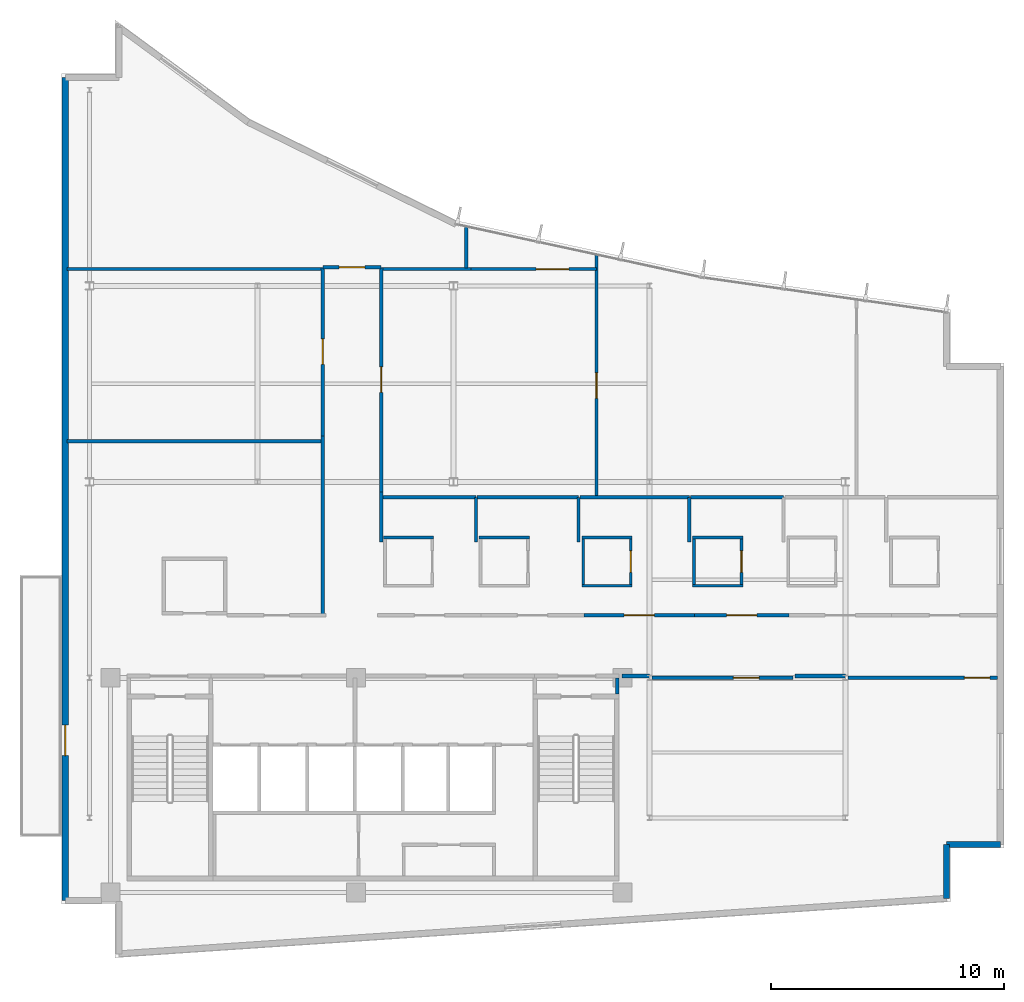
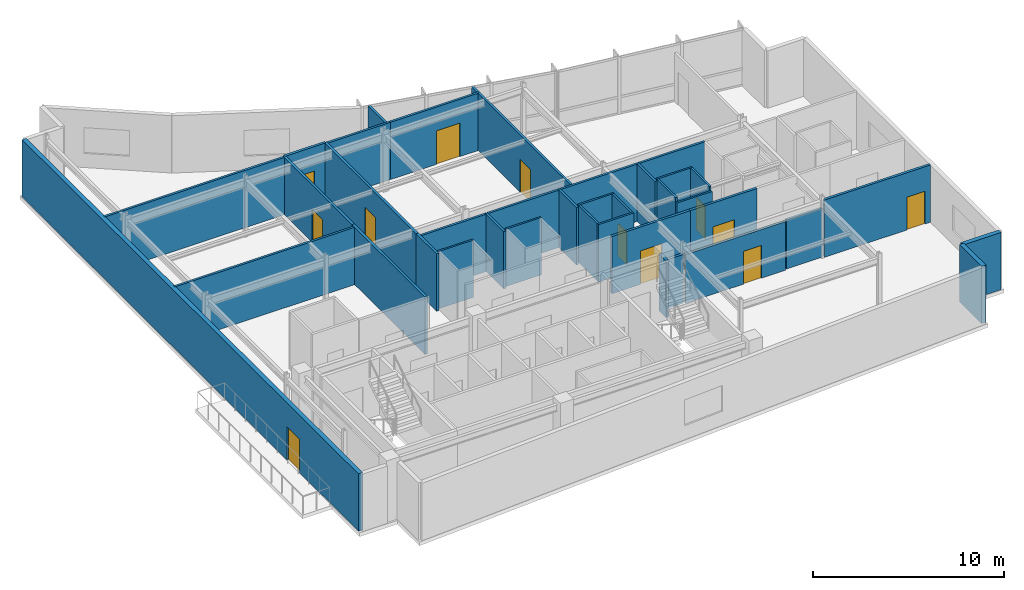
# One storey, part 11 of 15: 38 walls, 12 doors, 12 openings.
"""IFC4 building model written with IfcOpenShell, lengths in metres."""

from ifc_helpers import new_model, si_unit, direction, frame, frame_2d, origin, place, context, subcontext, project, spatial, rectangle, extrude, material, layer, layer_set, type_object, element, fill, save


model = new_model("IFC4")

# Units and contexts
model_context = context("Model", 3, precision=1e-05, world=origin(), true_north=direction((0.0, 1.0)))
body_context = subcontext(model_context, "Body", "Model", "MODEL_VIEW")
ifc_project = project(units=[si_unit("LENGTHUNIT", "METRE"), si_unit("AREAUNIT", "SQUARE_METRE"), si_unit("VOLUMEUNIT", "CUBIC_METRE"), si_unit("PLANEANGLEUNIT", "RADIAN"), si_unit("MASSUNIT", "GRAM", prefix="KILO")], contexts=[model_context])

# Site, building, storey
site_placement = place(None, origin())
site = spatial("IfcSite", under=ifc_project, at=site_placement, CompositionType="ELEMENT")
building_placement = place(site_placement, origin())
building = spatial("IfcBuilding", under=site, at=building_placement, Name="Varnakote Quay Hospital", CompositionType="ELEMENT")
storey_placement = place(building_placement, frame((0.0, 0.0, 300.0)))
storey = spatial("IfcBuildingStorey", under=building, at=storey_placement, Name="L74", CompositionType="ELEMENT", Elevation=300.0)

# Walls
ifc_material_1 = material(Name="Fire-rated acoustic gypsum stud wall", Category="gypsum")
ifc_layer_1 = layer(ifc_material_1, 0.159912109375)
ifc_layer_set_1 = layer_set([ifc_layer_1], Name="Fire-rated acoustic gypsum stud wall")
wall_type_1 = type_object("IfcWallType", Name="WL-COMP-160", PredefinedType="PARTITIONING", material=ifc_layer_set_1)
wall_1_placement = place(storey_placement, frame((23.820068359375, 11.300048828125, 0.0), z_axis=(0.0, 0.0, 1.0), x_axis=(0.0, 1.0, 0.0)))
element("IfcWall", 1, at=wall_1_placement, inside=storey, type_object=wall_type_1, Name="L74 East Stair Vestibule East Wall", PredefinedType="PARTITIONING", context=body_context, shape_type="SweptSolid", body=[
    extrude(rectangle(XDim=0.699951171875, YDim=0.159912109375, at=frame_2d((0.35009765625, 0.0))), origin(), (0.0, 0.0, 1.0), 3.669921875),
])
wall_2_placement = place(storey_placement, frame((24.02001953125, 12.080078125, 0.0), z_axis=(0.0, 0.0, 1.0), x_axis=(1.0, 0.0, 0.0)))
element("IfcWall", 2, at=wall_2_placement, inside=storey, type_object=wall_type_1, Name="L74 Corridor South Gap Wall", PredefinedType="PARTITIONING", context=body_context, shape_type="SweptSolid", body=[
    extrude(rectangle(XDim=1.193115234375, YDim=0.159912109375, at=frame_2d((0.5966796875, 0.0))), origin(), (0.0, 0.0, 1.0), 3.116943359375),
])
wall_3_placement = place(storey_placement, frame((31.439208984375, 12.080078125, 0.0), z_axis=(0.0, 0.0, 1.0), x_axis=(1.0, 0.0, 0.0)))
element("IfcWall", 3, at=wall_3_placement, inside=storey, type_object=wall_type_1, Name="L74 Corridor South Gap Wall", PredefinedType="PARTITIONING", context=body_context, shape_type="SweptSolid", body=[
    extrude(rectangle(XDim=2.174072265625, YDim=0.159912109375, at=frame_2d((1.0869140625, 0.0))), origin(), (0.0, 0.0, 1.0), 3.116943359375),
])
ifc_material_2 = material(Name="Moisture-resistant bathroom partition", Category="gypsum")
ifc_layer_2 = layer(ifc_material_2, 0.114990234375)
ifc_layer_set_2 = layer_set([ifc_layer_2], Name="Moisture-resistant bathroom partition")
wall_type_2 = type_object("IfcWallType", Name="WL-ENS-115", PredefinedType="PARTITIONING", material=ifc_layer_set_2)
wall_4_placement = place(storey_placement, frame((13.804931640625, 18.017578125, 0.0), z_axis=(0.0, 0.0, 1.0), x_axis=(1.0, 0.0, 0.0)))
element("IfcWall", 4, at=wall_4_placement, inside=storey, type_object=wall_type_2, Name="L74 Inpatient En-Suite Bathroom 01 N Wall", PredefinedType="PARTITIONING", context=body_context, shape_type="SweptSolid", body=[
    extrude(rectangle(XDim=2.150146484375, YDim=0.114990234375, at=frame_2d((1.0751953125, 0.0))), origin(), (0.0, 0.0, 1.0), 3.669921875),
])
wall_5_placement = place(storey_placement, frame((17.905029296875, 18.017578125, 0.0), z_axis=(0.0, 0.0, 1.0), x_axis=(1.0, 0.0, 0.0)))
element("IfcWall", 5, at=wall_5_placement, inside=storey, type_object=wall_type_2, Name="L74 Inpatient En-Suite Bathroom 02 N Wall", PredefinedType="PARTITIONING", context=body_context, shape_type="SweptSolid", body=[
    extrude(rectangle(XDim=2.14990234375, YDim=0.114990234375, at=frame_2d((1.074951171875, 0.0))), origin(), (0.0, 0.0, 1.0), 3.669921875),
])
for number, where, z_axis, x_axis, name in (
    (6, (22.304931640625, 15.952392578125, 0.0), (0.0, 0.0, 1.0), (1.0, 0.0, 0.0), "L74 Inpatient En-Suite Bathroom 03 S Wall"),
    (7, (22.304931640625, 18.017578125, 0.0), (0.0, 0.0, 1.0), (1.0, 0.0, 0.0), "L74 Inpatient En-Suite Bathroom 03 N Wall"),
):
    element("IfcWall", number, at=place(storey_placement, frame(where, z_axis=z_axis, x_axis=x_axis)), inside=storey, type_object=wall_type_2, Name=name, PredefinedType="PARTITIONING", context=body_context, shape_type="SweptSolid", body=[
        extrude(rectangle(XDim=2.150146484375, YDim=0.114990234375, at=frame_2d((1.0751953125, 0.0))), origin(), (0.0, 0.0, 1.0), 3.669921875),
    ])
wall_6_placement = place(storey_placement, frame((22.362548828125, 16.010009765625, 0.0), z_axis=(0.0, 0.0, 1.0), x_axis=(0.0, 1.0, 0.0)))
element("IfcWall", 8, at=wall_6_placement, inside=storey, type_object=wall_type_2, Name="L74 Inpatient En-Suite Bathroom 03 W Wall", PredefinedType="PARTITIONING", context=body_context, shape_type="SweptSolid", body=[
    extrude(rectangle(XDim=1.949951171875, YDim=0.114990234375, at=frame_2d((0.97509765625, 0.0))), origin(), (0.0, 0.0, 1.0), 3.669921875),
])

# Wall, opening, door
wall_7_placement = place(storey_placement, frame((24.3974609375, 16.010009765625, 0.0), z_axis=(0.0, 0.0, 1.0), x_axis=(0.0, 1.0, 0.0)))
wall_7 = element("IfcWall", 9, at=wall_7_placement, inside=storey, type_object=wall_type_2, Name="L74 Inpatient En-Suite Bathroom 03 E Wall", PredefinedType="PARTITIONING", context=body_context, shape_type="SweptSolid", body=[
    extrude(rectangle(XDim=1.949951171875, YDim=0.114990234375, at=frame_2d((0.97509765625, 0.0))), origin(), (0.0, 0.0, 1.0), 3.669921875),
])
opening_1_placement = place(wall_7_placement, frame((0.514892578125, 0.0, 0.0)))
opening_1 = element("IfcOpeningElement", 10, at=opening_1_placement, cuts=wall_7, Name="Opening D-L74-ENS03", PredefinedType="OPENING", context=body_context, shape_type="SweptSolid", body=[
    extrude(rectangle(XDim=0.919921875, YDim=2.10009765625, at=frame_2d((0.4599609375, 1.050048828125))), frame((0.0, 0.0673828125, 0.0), z_axis=(0.0, -1.0, 0.0), x_axis=(1.0, 0.0, 0.0)), (0.0, 0.0, 1.0), 0.135009765625),
])
ifc_material_3 = material(Name="Moisture-sealed en-suite bathroom door")
door_type_1 = type_object("IfcDoorType", Name="DR-ENS-920x2100", OperationType="NOTDEFINED", PredefinedType="DOOR", material=ifc_material_3)
door_1_placement = place(opening_1_placement, origin())
door_1 = element("IfcDoor", 11, at=door_1_placement, inside=storey, type_object=door_type_1, Name="L74 Inpatient En-Suite Bathroom 03 Door", OperationType="SINGLE_SWING_LEFT", OverallHeight=2.10009765625, OverallWidth=0.919921875, PredefinedType="DOOR", context=body_context, shape_type="SweptSolid", body=[
    extrude(rectangle(XDim=0.919921875, YDim=2.10009765625, at=frame_2d((0.4599609375, 1.050048828125))), frame((0.0, 0.02490234375, 0.0), z_axis=(0.0, -1.0, 0.0), x_axis=(1.0, 0.0, 0.0)), (0.0, 0.0, 1.0), 0.050048828125),
])
fill(opening_1, door_1)

# Walls
wall_8_placement = place(storey_placement, frame((27.054931640625, 15.952392578125, 0.0), z_axis=(0.0, 0.0, 1.0), x_axis=(1.0, 0.0, 0.0)))
element("IfcWall", 12, at=wall_8_placement, inside=storey, type_object=wall_type_2, Name="L74 Inpatient En-Suite Bathroom 04 S Wall", PredefinedType="PARTITIONING", context=body_context, shape_type="SweptSolid", body=[
    extrude(rectangle(XDim=2.150146484375, YDim=0.114990234375, at=frame_2d((1.0751953125, 0.0))), origin(), (0.0, 0.0, 1.0), 3.388916015625),
])
wall_9_placement = place(storey_placement, frame((27.054931640625, 18.017578125, 0.0), z_axis=(0.0, 0.0, 1.0), x_axis=(1.0, 0.0, 0.0)))
element("IfcWall", 13, at=wall_9_placement, inside=storey, type_object=wall_type_2, Name="L74 Inpatient En-Suite Bathroom 04 N Wall", PredefinedType="PARTITIONING", context=body_context, shape_type="SweptSolid", body=[
    extrude(rectangle(XDim=2.150146484375, YDim=0.114990234375, at=frame_2d((1.0751953125, 0.0))), origin(), (0.0, 0.0, 1.0), 3.669921875),
])
wall_10_placement = place(storey_placement, frame((27.112548828125, 16.010009765625, 0.0), z_axis=(0.0, 0.0, 1.0), x_axis=(0.0, 1.0, 0.0)))
element("IfcWall", 14, at=wall_10_placement, inside=storey, type_object=wall_type_2, Name="L74 Inpatient En-Suite Bathroom 04 W Wall", PredefinedType="PARTITIONING", context=body_context, shape_type="SweptSolid", body=[
    extrude(rectangle(XDim=1.949951171875, YDim=0.114990234375, at=frame_2d((0.97509765625, 0.0))), origin(), (0.0, 0.0, 1.0), 3.669921875),
])

# Wall, opening, door
wall_11_placement = place(storey_placement, frame((29.1474609375, 16.010009765625, 0.0), z_axis=(0.0, 0.0, 1.0), x_axis=(0.0, 1.0, 0.0)))
wall_11 = element("IfcWall", 15, at=wall_11_placement, inside=storey, type_object=wall_type_2, Name="L74 Inpatient En-Suite Bathroom 04 E Wall", PredefinedType="PARTITIONING", context=body_context, shape_type="SweptSolid", body=[
    extrude(rectangle(XDim=1.949951171875, YDim=0.114990234375, at=frame_2d((0.97509765625, 0.0))), origin(), (0.0, 0.0, 1.0), 3.669921875),
])
opening_2_placement = place(wall_11_placement, frame((0.514892578125, 0.0, 0.0)))
opening_2 = element("IfcOpeningElement", 16, at=opening_2_placement, cuts=wall_11, Name="Opening D-L74-ENS04", PredefinedType="OPENING", context=body_context, shape_type="SweptSolid", body=[
    extrude(rectangle(XDim=0.919921875, YDim=2.10009765625, at=frame_2d((0.4599609375, 1.050048828125))), frame((0.0, 0.0673828125, 0.0), z_axis=(0.0, -1.0, 0.0), x_axis=(1.0, 0.0, 0.0)), (0.0, 0.0, 1.0), 0.135009765625),
])
door_2_placement = place(opening_2_placement, origin())
door_2 = element("IfcDoor", 17, at=door_2_placement, inside=storey, type_object=door_type_1, Name="L74 Inpatient En-Suite Bathroom 04 Door", OperationType="SINGLE_SWING_RIGHT", OverallHeight=2.10009765625, OverallWidth=0.919921875, PredefinedType="DOOR", context=body_context, shape_type="SweptSolid", body=[
    extrude(rectangle(XDim=0.919921875, YDim=2.10009765625, at=frame_2d((0.4599609375, 1.050048828125))), frame((0.0, 0.02490234375, 0.0), z_axis=(0.0, -1.0, 0.0), x_axis=(1.0, 0.0, 0.0)), (0.0, 0.0, 1.0), 0.050048828125),
])
fill(opening_2, door_2)

# Walls
ifc_material_4 = material(Name="Precast concrete N50 (f'c 50 MPa)", Category="concrete")
ifc_layer_3 = layer(ifc_material_4, 0.260009765625)
ifc_layer_set_3 = layer_set([ifc_layer_3], Name="Precast concrete N50 (f'c 50 MPa)")
wall_type_3 = type_object("IfcWallType", Name="WL-EXT-BRICK-260", PredefinedType="STANDARD", material=ifc_layer_set_3)
wall_12_placement = place(storey_placement, frame((37.93994140625, 2.549560546875, 0.0), z_axis=(0.0, 0.0, 1.0), x_axis=(0.0, 1.0, 0.0)))
element("IfcWall", 18, at=wall_12_placement, inside=storey, type_object=wall_type_3, Name="L74 Brick-Faced Precast Exterior Wall", PredefinedType="STANDARD", context=body_context, shape_type="SweptSolid", body=[
    extrude(rectangle(XDim=2.310546875, YDim=0.260009765625, at=frame_2d((1.1552734375, 0.0))), origin(), (0.0, 0.0, 1.0), 3.669921875),
])
wall_13_placement = place(storey_placement, frame((37.93994140625, 4.860107421875, 0.0), z_axis=(0.0, 0.0, 1.0), x_axis=(1.0, 0.0, 0.0)))
element("IfcWall", 19, at=wall_13_placement, inside=storey, type_object=wall_type_3, Name="L74 Brick-Faced Precast Exterior Wall", PredefinedType="STANDARD", context=body_context, shape_type="SweptSolid", body=[
    extrude(rectangle(XDim=2.300048828125, YDim=0.260009765625, at=frame_2d((1.14990234375, 0.0))), origin(), (0.0, 0.0, 1.0), 3.669921875),
])

# Wall, opening, door
wall_14_placement = place(storey_placement, frame((0.159912109375, 37.739990234375, 0.0), z_axis=(0.0, 0.0, 1.0), x_axis=(0.0, -1.0, 0.0)))
wall_14 = element("IfcWall", 20, at=wall_14_placement, inside=storey, type_object=wall_type_3, Name="L74 Healing Terrace Portal Brick Wall", PredefinedType="STANDARD", context=body_context, shape_type="SweptSolid", body=[
    extrude(rectangle(XDim=35.280029296875, YDim=0.260009765625, at=frame_2d((17.64013671875, 0.0))), origin(), (0.0, 0.0, 1.0), 3.669921875),
])
opening_3_placement = place(wall_14_placement, frame((27.77001953125, 0.0, 0.0)))
opening_3 = element("IfcOpeningElement", 21, at=opening_3_placement, cuts=wall_14, Name="Opening DT-L74", PredefinedType="OPENING", context=body_context, shape_type="SweptSolid", body=[
    extrude(rectangle(XDim=1.300048828125, YDim=2.14990234375, at=frame_2d((0.64990234375, 1.074951171875))), frame((0.0, 0.139892578125, 0.0), z_axis=(0.0, -1.0, 0.0), x_axis=(1.0, 0.0, 0.0)), (0.0, 0.0, 1.0), 0.280029296875),
])
ifc_material_5 = material(Name="Anodised aluminium glazed terrace door", Category="aluminium")
door_type_2 = type_object("IfcDoorType", Name="DR-EXT-TERR-1300x2150", OperationType="NOTDEFINED", PredefinedType="DOOR", material=ifc_material_5)
door_3_placement = place(opening_3_placement, origin())
door_3 = element("IfcDoor", 22, at=door_3_placement, inside=storey, type_object=door_type_2, Name="L74 Waterfront Healing Terrace Door", OperationType="SINGLE_SWING_LEFT", OverallHeight=2.14990234375, OverallWidth=1.300048828125, PredefinedType="DOOR", context=body_context, shape_type="SweptSolid", body=[
    extrude(rectangle(XDim=1.300048828125, YDim=2.14990234375, at=frame_2d((0.64990234375, 1.074951171875))), frame((0.0, 0.02490234375, 0.0), z_axis=(0.0, -1.0, 0.0), x_axis=(1.0, 0.0, 0.0)), (0.0, 0.0, 1.0), 0.050048828125),
])
fill(opening_3, door_3)

# Walls
ifc_material_6 = material(Name="Smoke-proof clinical partition", Category="gypsum")
ifc_layer_4 = layer(ifc_material_6, 0.135009765625)
ifc_layer_set_4 = layer_set([ifc_layer_4], Name="Smoke-proof clinical partition")
wall_type_4 = type_object("IfcWallType", Name="WL-SMOKE-135", PredefinedType="PARTITIONING", material=ifc_layer_set_4)
for number, where, z_axis, x_axis, name in (
    (23, (11.1201171875, 22.139892578125, 0.0), (0.0, 0.0, 1.0), (-1.0, 0.0, 0.0), "L74 Clinical Interior Partition"),
    (24, (11.1201171875, 29.52001953125, 0.0), (0.0, 0.0, 1.0), (-1.0, 0.0, 0.0), "L74 Clinical Interior Partition"),
):
    element("IfcWall", number, at=place(storey_placement, frame(where, z_axis=z_axis, x_axis=x_axis)), inside=storey, type_object=wall_type_4, Name=name, PredefinedType="PARTITIONING", context=body_context, shape_type="SweptSolid", body=[
        extrude(rectangle(XDim=10.880126953125, YDim=0.135009765625, at=frame_2d((5.43994140625, 0.0))), origin(), (0.0, 0.0, 1.0), 3.669921875),
    ])
wall_15_placement = place(storey_placement, frame((17.760009765625, 17.83251953125, 0.0), z_axis=(0.0, 0.0, 1.0), x_axis=(0.0, 1.0, 0.0)))
element("IfcWall", 25, at=wall_15_placement, inside=storey, type_object=wall_type_4, Name="L74 Clinical Interior Partition", PredefinedType="PARTITIONING", context=body_context, shape_type="SweptSolid", body=[
    extrude(rectangle(XDim=1.907470703125, YDim=0.135009765625, at=frame_2d((0.95361328125, 0.0))), origin(), (0.0, 0.0, 1.0), 3.669921875),
])
wall_16_placement = place(storey_placement, frame((17.760009765625, 19.739990234375, 0.0), z_axis=(0.0, 0.0, 1.0), x_axis=(-1.0, 0.0, 0.0)))
element("IfcWall", 26, at=wall_16_placement, inside=storey, type_object=wall_type_4, Name="L74 Clinical Interior Partition", PredefinedType="PARTITIONING", context=body_context, shape_type="SweptSolid", body=[
    extrude(rectangle(XDim=3.97998046875, YDim=0.135009765625, at=frame_2d((1.989990234375, 0.0))), origin(), (0.0, 0.0, 1.0), 3.669921875),
])
wall_17_placement = place(storey_placement, frame((22.159912109375, 17.83251953125, 0.0), z_axis=(0.0, 0.0, 1.0), x_axis=(0.0, 1.0, 0.0)))
element("IfcWall", 27, at=wall_17_placement, inside=storey, type_object=wall_type_4, Name="L74 Clinical Interior Partition", PredefinedType="PARTITIONING", context=body_context, shape_type="SweptSolid", body=[
    extrude(rectangle(XDim=1.907470703125, YDim=0.135009765625, at=frame_2d((0.95361328125, 0.0))), origin(), (0.0, 0.0, 1.0), 3.669921875),
])
wall_18_placement = place(storey_placement, frame((22.159912109375, 19.739990234375, 0.0), z_axis=(0.0, 0.0, 1.0), x_axis=(-1.0, 0.0, 0.0)))
element("IfcWall", 28, at=wall_18_placement, inside=storey, type_object=wall_type_4, Name="L74 Clinical Interior Partition", PredefinedType="PARTITIONING", context=body_context, shape_type="SweptSolid", body=[
    extrude(rectangle(XDim=4.342529296875, YDim=0.135009765625, at=frame_2d((2.17138671875, 0.0))), origin(), (0.0, 0.0, 1.0), 3.669921875),
])
wall_19_placement = place(storey_placement, frame((26.909912109375, 17.83251953125, 0.0), z_axis=(0.0, 0.0, 1.0), x_axis=(0.0, 1.0, 0.0)))
element("IfcWall", 29, at=wall_19_placement, inside=storey, type_object=wall_type_4, Name="L74 Clinical Interior Partition", PredefinedType="PARTITIONING", context=body_context, shape_type="SweptSolid", body=[
    extrude(rectangle(XDim=1.907470703125, YDim=0.135009765625, at=frame_2d((0.95361328125, 0.0))), origin(), (0.0, 0.0, 1.0), 3.669921875),
])
wall_20_placement = place(storey_placement, frame((26.909912109375, 19.739990234375, 0.0), z_axis=(0.0, 0.0, 1.0), x_axis=(-1.0, 0.0, 0.0)))
element("IfcWall", 30, at=wall_20_placement, inside=storey, type_object=wall_type_4, Name="L74 Clinical Interior Partition", PredefinedType="PARTITIONING", context=body_context, shape_type="SweptSolid", body=[
    extrude(rectangle(XDim=4.6923828125, YDim=0.135009765625, at=frame_2d((2.34619140625, 0.0))), origin(), (0.0, 0.0, 1.0), 3.669921875),
])
wall_21_placement = place(storey_placement, frame((30.949951171875, 19.739990234375, 0.0), z_axis=(0.0, 0.0, 1.0), x_axis=(-1.0, 0.0, 0.0)))
element("IfcWall", 31, at=wall_21_placement, inside=storey, type_object=wall_type_4, Name="L74 Clinical Interior Partition", PredefinedType="PARTITIONING", context=body_context, shape_type="SweptSolid", body=[
    extrude(rectangle(XDim=3.982421875, YDim=0.135009765625, at=frame_2d((1.9912109375, 0.0))), origin(), (0.0, 0.0, 1.0), 3.669921875),
])

# Wall, opening, door
wall_22_placement = place(storey_placement, frame((22.929931640625, 19.797607421875, 0.0), z_axis=(0.0, 0.0, 1.0), x_axis=(0.0, 1.0, 0.0)))
wall_22 = element("IfcWall", 32, at=wall_22_placement, inside=storey, type_object=wall_type_4, Name="L74 Clinical Interior Partition", PredefinedType="PARTITIONING", context=body_context, shape_type="SweptSolid", body=[
    extrude(rectangle(XDim=10.341064453125, YDim=0.135009765625, at=frame_2d((5.17041015625, 0.0))), origin(), (0.0, 0.0, 1.0), 3.669921875),
])
opening_4_placement = place(wall_22_placement, frame((4.178466796875, 0.0, 0.0)))
opening_4 = element("IfcOpeningElement", 33, at=opening_4_placement, cuts=wall_22, Name="Opening D-L74-MD03", PredefinedType="OPENING", context=body_context, shape_type="SweptSolid", body=[
    extrude(rectangle(XDim=1.10009765625, YDim=2.10009765625, at=frame_2d((0.550048828125, 1.050048828125))), frame((0.0, 0.077392578125, 0.0), z_axis=(0.0, -1.0, 0.0), x_axis=(1.0, 0.0, 0.0)), (0.0, 0.0, 1.0), 0.155029296875),
])
ifc_material_7 = material(Name="Acoustic timber clinical consult door", Category="wood")
door_type_3 = type_object("IfcDoorType", Name="DR-CLIN-FD30S-1100x2100", OperationType="NOTDEFINED", PredefinedType="DOOR", material=ifc_material_7)
door_4_placement = place(opening_4_placement, origin())
door_4 = element("IfcDoor", 34, at=door_4_placement, inside=storey, type_object=door_type_3, Name="L74 Aviation Medical Meeting Room Door", OperationType="SINGLE_SWING_LEFT", OverallHeight=2.10009765625, OverallWidth=1.10009765625, PredefinedType="DOOR", context=body_context, shape_type="SweptSolid", body=[
    extrude(rectangle(XDim=1.10009765625, YDim=2.10009765625, at=frame_2d((0.550048828125, 1.050048828125))), frame((0.0, 0.02490234375, 0.0), z_axis=(0.0, -1.0, 0.0), x_axis=(1.0, 0.0, 0.0)), (0.0, 0.0, 1.0), 0.050048828125),
])
fill(opening_4, door_4)

# Wall
wall_23_placement = place(storey_placement, frame((17.544677734375, 29.52001953125, 0.0), z_axis=(0.0, 0.0, 1.0), x_axis=(-1.0, 0.0, 0.0)))
element("IfcWall", 35, at=wall_23_placement, inside=storey, type_object=wall_type_4, Name="L74 Clinical Interior Partition", PredefinedType="PARTITIONING", context=body_context, shape_type="SweptSolid", body=[
    extrude(rectangle(XDim=3.7646484375, YDim=0.135009765625, at=frame_2d((1.88232421875, 0.0))), origin(), (0.0, 0.0, 1.0), 3.669921875),
])

# Wall, opening, door
wall_24_placement = place(storey_placement, frame((22.929931640625, 29.52001953125, 0.0), z_axis=(0.0, 0.0, 1.0), x_axis=(-1.0, 0.0, 0.0)))
wall_24 = element("IfcWall", 36, at=wall_24_placement, inside=storey, type_object=wall_type_4, Name="L74 Clinical Interior Partition", PredefinedType="PARTITIONING", context=body_context, shape_type="SweptSolid", body=[
    extrude(rectangle(XDim=5.38330078125, YDim=0.135009765625, at=frame_2d((2.691650390625, 0.0))), origin(), (0.0, 0.0, 1.0), 3.669921875),
])
opening_5_placement = place(wall_24_placement, frame((1.185302734375, 0.0, 0.0)))
opening_5 = element("IfcOpeningElement", 37, at=opening_5_placement, cuts=wall_24, Name="Opening D-L74-UST01", PredefinedType="OPENING", context=body_context, shape_type="SweptSolid", body=[
    extrude(rectangle(XDim=1.39990234375, YDim=2.14990234375, at=frame_2d((0.699951171875, 1.074951171875))), frame((0.0, 0.077392578125, 0.0), z_axis=(0.0, -1.0, 0.0), x_axis=(1.0, 0.0, 0.0)), (0.0, 0.0, 1.0), 0.155029296875),
])
ifc_material_8 = material(Name="Fire-rated acoustic plant room door")
door_type_4 = type_object("IfcDoorType", Name="DR-PLANT-FD60-1400x2150", OperationType="NOTDEFINED", PredefinedType="DOOR", material=ifc_material_8)
door_5_placement = place(opening_5_placement, origin())
door_5 = element("IfcDoor", 38, at=door_5_placement, inside=storey, type_object=door_type_4, Name="L74 Ward Clean Equipment Store 01 Door", OperationType="SINGLE_SWING_RIGHT", OverallHeight=2.14990234375, OverallWidth=1.39990234375, PredefinedType="DOOR", context=body_context, shape_type="SweptSolid", body=[
    extrude(rectangle(XDim=1.39990234375, YDim=2.14990234375, at=frame_2d((0.699951171875, 1.074951171875))), frame((0.0, 0.02490234375, 0.0), z_axis=(0.0, -1.0, 0.0), x_axis=(1.0, 0.0, 0.0)), (0.0, 0.0, 1.0), 0.050048828125),
])
fill(opening_5, door_5)

# Wall
wall_25_placement = place(storey_placement, frame((17.35009765625, 29.577392578125, 0.0), z_axis=(0.0, 0.0, 1.0), x_axis=(0.0, 1.0, 0.0)))
element("IfcWall", 39, at=wall_25_placement, inside=storey, type_object=wall_type_4, Name="L74 Clinical Interior Partition", PredefinedType="PARTITIONING", context=body_context, shape_type="SweptSolid", body=[
    extrude(rectangle(XDim=1.768310546875, YDim=0.135009765625, at=frame_2d((0.88427734375, 0.0))), origin(), (0.0, 0.0, 1.0), 3.669921875),
])

# Wall, opening, door
ifc_material_9 = material(Name="Fire-rated clinical gypsum partition", Category="gypsum")
ifc_layer_5 = layer(ifc_material_9, 0.14990234375)
ifc_layer_set_5 = layer_set([ifc_layer_5], Name="Fire-rated clinical gypsum partition")
wall_type_5 = type_object("IfcWallType", Name="WL-WARD-150", PredefinedType="PARTITIONING", material=ifc_layer_set_5)
wall_26_placement = place(storey_placement, frame((31.35009765625, 12.0, 0.0), z_axis=(0.0, 0.0, 1.0), x_axis=(-1.0, 0.0, 0.0)))
wall_26 = element("IfcWall", 40, at=wall_26_placement, inside=storey, type_object=wall_type_5, Name="L74 Clinical Interior Partition", PredefinedType="PARTITIONING", context=body_context, shape_type="SweptSolid", body=[
    extrude(rectangle(XDim=6.047607421875, YDim=0.14990234375, at=frame_2d((3.02392578125, 0.0))), origin(), (0.0, 0.0, 1.0), 3.116943359375),
])
opening_6_placement = place(wall_26_placement, frame((1.45068359375, 0.0, 0.0)))
opening_6 = element("IfcOpeningElement", 41, at=opening_6_placement, cuts=wall_26, Name="Opening D-L74-RL1", PredefinedType="OPENING", context=body_context, shape_type="SweptSolid", body=[
    extrude(rectangle(XDim=1.10009765625, YDim=2.10009765625, at=frame_2d((0.550048828125, 1.050048828125))), frame((0.0, 0.0849609375, 0.0), z_axis=(0.0, -1.0, 0.0), x_axis=(1.0, 0.0, 0.0)), (0.0, 0.0, 1.0), 0.169921875),
])
door_6_placement = place(opening_6_placement, origin())
door_6 = element("IfcDoor", 42, at=door_6_placement, inside=storey, type_object=door_type_3, Name="L74 Day Infusion Treatment Suite Door", OperationType="SINGLE_SWING_LEFT", OverallHeight=2.10009765625, OverallWidth=1.10009765625, PredefinedType="DOOR", context=body_context, shape_type="SweptSolid", body=[
    extrude(rectangle(XDim=1.10009765625, YDim=2.10009765625, at=frame_2d((0.550048828125, 1.050048828125))), frame((0.0, 0.02490234375, 0.0), z_axis=(0.0, -1.0, 0.0), x_axis=(1.0, 0.0, 0.0)), (0.0, 0.0, 1.0), 0.050048828125),
])
fill(opening_6, door_6)

wall_27_placement = place(storey_placement, frame((40.1201171875, 12.0, 0.0), z_axis=(0.0, 0.0, 1.0), x_axis=(-1.0, 0.0, 0.0)))
wall_27 = element("IfcWall", 43, at=wall_27_placement, inside=storey, type_object=wall_type_5, Name="L74 Clinical Interior Partition", PredefinedType="PARTITIONING", context=body_context, shape_type="SweptSolid", body=[
    extrude(rectangle(XDim=6.417724609375, YDim=0.14990234375, at=frame_2d((3.208984375, 0.0))), origin(), (0.0, 0.0, 1.0), 3.669921875),
])
opening_7_placement = place(wall_27_placement, frame((0.322998046875, 0.0, 0.0)))
opening_7 = element("IfcOpeningElement", 44, at=opening_7_placement, cuts=wall_27, Name="Opening D-L74-RM1", PredefinedType="OPENING", context=body_context, shape_type="SweptSolid", body=[
    extrude(rectangle(XDim=1.10009765625, YDim=2.10009765625, at=frame_2d((0.550048828125, 1.050048828125))), frame((0.0, 0.0849609375, 0.0), z_axis=(0.0, -1.0, 0.0), x_axis=(1.0, 0.0, 0.0)), (0.0, 0.0, 1.0), 0.169921875),
])
door_7_placement = place(opening_7_placement, origin())
door_7 = element("IfcDoor", 45, at=door_7_placement, inside=storey, type_object=door_type_3, Name="L74 Cardiac Telemetry Treatment Suite Door", OperationType="SINGLE_SWING_RIGHT", OverallHeight=2.10009765625, OverallWidth=1.10009765625, PredefinedType="DOOR", context=body_context, shape_type="SweptSolid", body=[
    extrude(rectangle(XDim=1.10009765625, YDim=2.10009765625, at=frame_2d((0.550048828125, 1.050048828125))), frame((0.0, 0.02490234375, 0.0), z_axis=(0.0, -1.0, 0.0), x_axis=(1.0, 0.0, 0.0)), (0.0, 0.0, 1.0), 0.050048828125),
])
fill(opening_7, door_7)

wall_28_placement = place(storey_placement, frame((27.135986328125, 14.679931640625, 0.0), z_axis=(0.0, 0.0, 1.0), x_axis=(-1.0, 0.0, 0.0)))
wall_28 = element("IfcWall", 46, at=wall_28_placement, inside=storey, type_object=wall_type_5, Name="L74 Clinical Interior Partition", PredefinedType="PARTITIONING", context=body_context, shape_type="SweptSolid", body=[
    extrude(rectangle(XDim=4.748046875, YDim=0.14990234375, at=frame_2d((2.3740234375, 0.0))), origin(), (0.0, 0.0, 1.0), 3.669921875),
])
opening_8_placement = place(wall_28_placement, frame((1.72412109375, 0.0, 0.0)))
opening_8 = element("IfcOpeningElement", 47, at=opening_8_placement, cuts=wall_28, Name="Opening D-L74-BR03", PredefinedType="OPENING", context=body_context, shape_type="SweptSolid", body=[
    extrude(rectangle(XDim=1.300048828125, YDim=2.14990234375, at=frame_2d((0.64990234375, 1.074951171875))), frame((0.0, 0.0849609375, 0.0), z_axis=(0.0, -1.0, 0.0), x_axis=(1.0, 0.0, 0.0)), (0.0, 0.0, 1.0), 0.169921875),
])
ifc_material_10 = material(Name="Solid-core timber clinical bed door", Category="wood")
door_type_5 = type_object("IfcDoorType", Name="DR-WARD-FD30S-1300x2150", OperationType="NOTDEFINED", PredefinedType="DOOR", material=ifc_material_10)
door_8_placement = place(opening_8_placement, origin())
door_8 = element("IfcDoor", 48, at=door_8_placement, inside=storey, type_object=door_type_5, Name="L74 Resident Care Bedroom 03 Door", OperationType="SINGLE_SWING_RIGHT", OverallHeight=2.14990234375, OverallWidth=1.300048828125, PredefinedType="DOOR", context=body_context, shape_type="SweptSolid", body=[
    extrude(rectangle(XDim=1.300048828125, YDim=2.14990234375, at=frame_2d((0.64990234375, 1.074951171875))), frame((0.0, 0.02490234375, 0.0), z_axis=(0.0, -1.0, 0.0), x_axis=(1.0, 0.0, 0.0)), (0.0, 0.0, 1.0), 0.050048828125),
])
fill(opening_8, door_8)

wall_29_placement = place(storey_placement, frame((31.176025390625, 14.679931640625, 0.0), z_axis=(0.0, 0.0, 1.0), x_axis=(-1.0, 0.0, 0.0)))
wall_29 = element("IfcWall", 49, at=wall_29_placement, inside=storey, type_object=wall_type_5, Name="L74 Clinical Interior Partition", PredefinedType="PARTITIONING", context=body_context, shape_type="SweptSolid", body=[
    extrude(rectangle(XDim=4.0380859375, YDim=0.14990234375, at=frame_2d((2.01904296875, 0.0))), origin(), (0.0, 0.0, 1.0), 3.669921875),
])
opening_9_placement = place(wall_29_placement, frame((1.368896484375, 0.0, 0.0)))
opening_9 = element("IfcOpeningElement", 50, at=opening_9_placement, cuts=wall_29, Name="Opening D-L74-BR04", PredefinedType="OPENING", context=body_context, shape_type="SweptSolid", body=[
    extrude(rectangle(XDim=1.300048828125, YDim=2.14990234375, at=frame_2d((0.64990234375, 1.074951171875))), frame((0.0, 0.0849609375, 0.0), z_axis=(0.0, -1.0, 0.0), x_axis=(1.0, 0.0, 0.0)), (0.0, 0.0, 1.0), 0.169921875),
])
door_9_placement = place(opening_9_placement, origin())
door_9 = element("IfcDoor", 51, at=door_9_placement, inside=storey, type_object=door_type_5, Name="L74 Resident Care Bedroom 04 Door", OperationType="SINGLE_SWING_LEFT", OverallHeight=2.14990234375, OverallWidth=1.300048828125, PredefinedType="DOOR", context=body_context, shape_type="SweptSolid", body=[
    extrude(rectangle(XDim=1.300048828125, YDim=2.14990234375, at=frame_2d((0.64990234375, 1.074951171875))), frame((0.0, 0.02490234375, 0.0), z_axis=(0.0, -1.0, 0.0), x_axis=(1.0, 0.0, 0.0)), (0.0, 0.0, 1.0), 0.050048828125),
])
fill(opening_9, door_9)

# Wall
wall_30_placement = place(storey_placement, frame((11.199951171875, 22.365966796875, 0.0), z_axis=(0.0, 0.0, 1.0), x_axis=(0.0, -1.0, 0.0)))
element("IfcWall", 52, at=wall_30_placement, inside=storey, type_object=wall_type_5, Name="L74 Clinical Interior Partition", PredefinedType="PARTITIONING", context=body_context, shape_type="SweptSolid", body=[
    extrude(rectangle(XDim=7.666015625, YDim=0.14990234375, at=frame_2d((3.8330078125, 0.0))), origin(), (0.0, 0.0, 1.0), 3.669921875),
])

# Wall, opening, door
wall_31_placement = place(storey_placement, frame((11.199951171875, 29.60009765625, 0.0), z_axis=(0.0, 0.0, 1.0), x_axis=(0.0, -1.0, 0.0)))
wall_31 = element("IfcWall", 53, at=wall_31_placement, inside=storey, type_object=wall_type_5, Name="L74 Clinical Interior Partition", PredefinedType="PARTITIONING", context=body_context, shape_type="SweptSolid", body=[
    extrude(rectangle(XDim=7.232177734375, YDim=0.14990234375, at=frame_2d((3.6162109375, 0.0))), origin(), (0.0, 0.0, 1.0), 3.669921875),
])
opening_10_placement = place(wall_31_placement, frame((3.06591796875, 0.0, 0.0)))
opening_10 = element("IfcOpeningElement", 54, at=opening_10_placement, cuts=wall_31, Name="Opening D-L74-MD01", PredefinedType="OPENING", context=body_context, shape_type="SweptSolid", body=[
    extrude(rectangle(XDim=1.10009765625, YDim=2.10009765625, at=frame_2d((0.550048828125, 1.050048828125))), frame((0.0, 0.0849609375, 0.0), z_axis=(0.0, -1.0, 0.0), x_axis=(1.0, 0.0, 0.0)), (0.0, 0.0, 1.0), 0.169921875),
])
door_10_placement = place(opening_10_placement, origin())
door_10 = element("IfcDoor", 55, at=door_10_placement, inside=storey, type_object=door_type_3, Name="L74 Outpatient Specialist Consult Office Door", OperationType="SINGLE_SWING_RIGHT", OverallHeight=2.10009765625, OverallWidth=1.10009765625, PredefinedType="DOOR", context=body_context, shape_type="SweptSolid", body=[
    extrude(rectangle(XDim=1.10009765625, YDim=2.10009765625, at=frame_2d((0.550048828125, 1.050048828125))), frame((0.0, 0.02490234375, 0.0), z_axis=(0.0, -1.0, 0.0), x_axis=(1.0, 0.0, 0.0)), (0.0, 0.0, 1.0), 0.050048828125),
])
fill(opening_10, door_10)

# Wall
wall_32_placement = place(storey_placement, frame((13.699951171875, 17.81396484375, 0.0), z_axis=(0.0, 0.0, 1.0), x_axis=(0.0, 1.0, 0.0)))
element("IfcWall", 56, at=wall_32_placement, inside=storey, type_object=wall_type_5, Name="L74 Clinical Interior Partition", PredefinedType="PARTITIONING", context=body_context, shape_type="SweptSolid", body=[
    extrude(rectangle(XDim=2.152099609375, YDim=0.14990234375, at=frame_2d((1.076171875, 0.0))), origin(), (0.0, 0.0, 1.0), 3.669921875),
])

# Wall, opening, door
wall_33_placement = place(storey_placement, frame((13.699951171875, 19.968017578125, 0.0), z_axis=(0.0, 0.0, 1.0), x_axis=(0.0, 1.0, 0.0)))
wall_33 = element("IfcWall", 57, at=wall_33_placement, inside=storey, type_object=wall_type_5, Name="L74 Clinical Interior Partition", PredefinedType="PARTITIONING", context=body_context, shape_type="SweptSolid", body=[
    extrude(rectangle(XDim=9.632080078125, YDim=0.14990234375, at=frame_2d((4.81591796875, 0.0))), origin(), (0.0, 0.0, 1.0), 3.669921875),
])
opening_11_placement = place(wall_33_placement, frame((4.26611328125, 0.0, 0.0)))
opening_11 = element("IfcOpeningElement", 58, at=opening_11_placement, cuts=wall_33, Name="Opening D-L74-MD02", PredefinedType="OPENING", context=body_context, shape_type="SweptSolid", body=[
    extrude(rectangle(XDim=1.10009765625, YDim=2.10009765625, at=frame_2d((0.550048828125, 1.050048828125))), frame((0.0, 0.0849609375, 0.0), z_axis=(0.0, -1.0, 0.0), x_axis=(1.0, 0.0, 0.0)), (0.0, 0.0, 1.0), 0.169921875),
])
door_11_placement = place(opening_11_placement, origin())
door_11 = element("IfcDoor", 59, at=door_11_placement, inside=storey, type_object=door_type_3, Name="L74 Crown Trauma Transfer Treatment Suite Door", OperationType="SINGLE_SWING_LEFT", OverallHeight=2.10009765625, OverallWidth=1.10009765625, PredefinedType="DOOR", context=body_context, shape_type="SweptSolid", body=[
    extrude(rectangle(XDim=1.10009765625, YDim=2.10009765625, at=frame_2d((0.550048828125, 1.050048828125))), frame((0.0, 0.02490234375, 0.0), z_axis=(0.0, -1.0, 0.0), x_axis=(1.0, 0.0, 0.0)), (0.0, 0.0, 1.0), 0.050048828125),
])
fill(opening_11, door_11)

wall_34_placement = place(storey_placement, frame((13.699951171875, 29.60009765625, 0.0), z_axis=(0.0, 0.0, 1.0), x_axis=(-1.0, 0.0, 0.0)))
wall_34 = element("IfcWall", 60, at=wall_34_placement, inside=storey, type_object=wall_type_5, Name="L74 Clinical Interior Partition", PredefinedType="PARTITIONING", context=body_context, shape_type="SweptSolid", body=[
    extrude(rectangle(XDim=2.5, YDim=0.14990234375, at=frame_2d((1.25, 0.0))), origin(), (0.0, 0.0, 1.0), 3.669921875),
])
opening_12_placement = place(wall_34_placement, frame((0.699951171875, 0.0, 0.0)))
opening_12 = element("IfcOpeningElement", 61, at=opening_12_placement, cuts=wall_34, Name="Opening D-L74-MD05", PredefinedType="OPENING", context=body_context, shape_type="SweptSolid", body=[
    extrude(rectangle(XDim=1.10009765625, YDim=2.10009765625, at=frame_2d((0.550048828125, 1.050048828125))), frame((0.0, 0.0849609375, 0.0), z_axis=(0.0, -1.0, 0.0), x_axis=(1.0, 0.0, 0.0)), (0.0, 0.0, 1.0), 0.169921875),
])
door_12_placement = place(opening_12_placement, origin())
door_12 = element("IfcDoor", 62, at=door_12_placement, inside=storey, type_object=door_type_3, Name="L74 Outpatient Specialist Consult Office Door", OperationType="SINGLE_SWING_RIGHT", OverallHeight=2.10009765625, OverallWidth=1.10009765625, PredefinedType="DOOR", context=body_context, shape_type="SweptSolid", body=[
    extrude(rectangle(XDim=1.10009765625, YDim=2.10009765625, at=frame_2d((0.550048828125, 1.050048828125))), frame((0.0, 0.02490234375, 0.0), z_axis=(0.0, -1.0, 0.0), x_axis=(1.0, 0.0, 0.0)), (0.0, 0.0, 1.0), 0.050048828125),
])
fill(opening_12, door_12)

save(model, "model.ifc")
